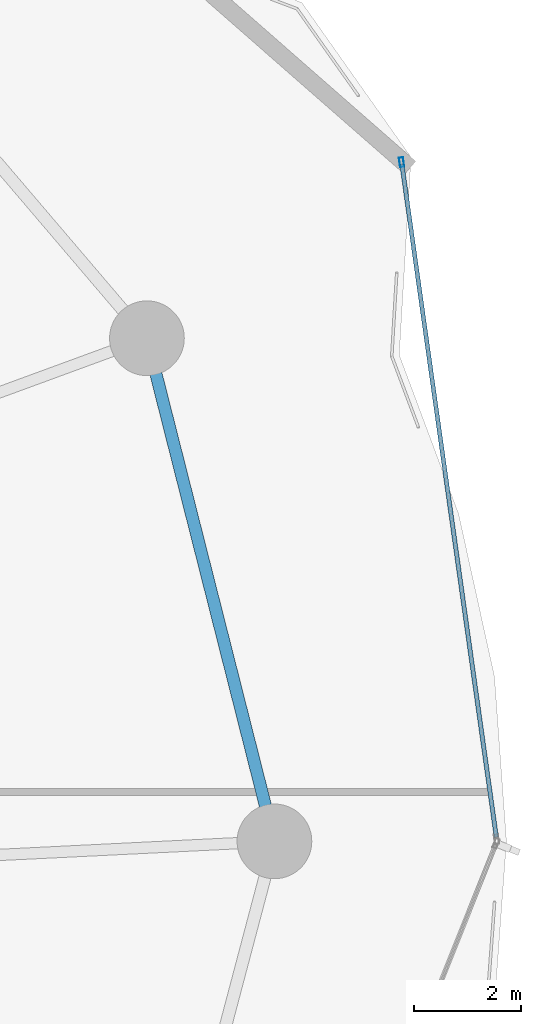
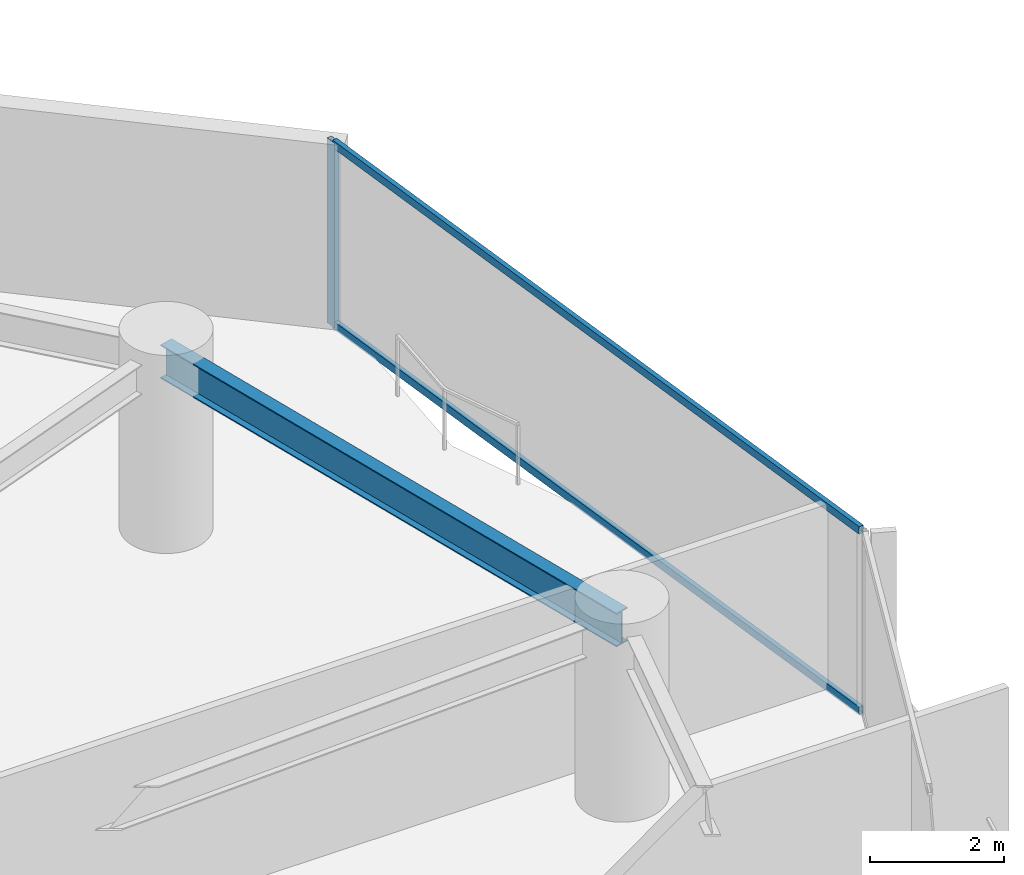
# One storey, part 23 of 31: 3 members, 1 beam, 1 element without a shape of its own.
"""IFC4 building model written with IfcOpenShell, lengths in metres."""

from ifc_helpers import new_model, si_unit, direction, frame, origin, origin_2d, place, context, subcontext, project, spatial, hollow_rectangle, i_section, extrude, material, layer, layer_set, material_profile, profile_set, type_object, element, aggregate, save


model = new_model("IFC4")

# Units and contexts
model_context = context("Model", 3, precision=1e-05, world=origin(), true_north=direction((0.0, 1.0)))
body_context = subcontext(model_context, "Body", "Model", "MODEL_VIEW")
ifc_project = project(units=[si_unit("LENGTHUNIT", "METRE"), si_unit("AREAUNIT", "SQUARE_METRE"), si_unit("VOLUMEUNIT", "CUBIC_METRE"), si_unit("PLANEANGLEUNIT", "RADIAN"), si_unit("MASSUNIT", "GRAM", prefix="KILO")], contexts=[model_context])

# Site, building, storey
site_placement = place(None, origin())
site = spatial("IfcSite", under=ifc_project, at=site_placement, CompositionType="ELEMENT")
building_placement = place(site_placement, origin())
building = spatial("IfcBuilding", under=site, at=building_placement, Name="Kazevale Care Tower and Concert Hall", CompositionType="ELEMENT")
storey_placement = place(building_placement, frame((0.0, 0.0, 56.39990234375)))
storey = spatial("IfcBuildingStorey", under=building, at=storey_placement, Name="L14", CompositionType="ELEMENT", Elevation=56.39990234375)

# Curtain wall, members
ifc_material_1 = material(Name="Aluminium 6063-T6 and Low-E Glass", Category="aluminium")
ifc_layer = layer(ifc_material_1, 0.179931640625)
ifc_layer_set = layer_set([ifc_layer], Name="Aluminium 6063-T6 and Low-E Glass")
curtain_wall_type = type_object("IfcCurtainWallType", Name="Waist & Upper Residential Curtain Wall CW-4", PredefinedType="NOTDEFINED", material=ifc_layer_set)
curtain_wall_placement = place(storey_placement, origin())
curtain_wall = element("IfcCurtainWall", 1, at=curtain_wall_placement, inside=storey, type_object=curtain_wall_type, Name="cw:L14:f18", PredefinedType="NOTDEFINED")
ifc_material_2 = material(Name="Aluminium 6063-T6", Category="aluminium")
ifc_material_profile_1 = material_profile(ifc_material_2, hollow_rectangle(XDim=0.080078125, YDim=0.179931640625, WallThickness=0.0048828125, at=origin_2d()), Name="ALU80x180x5")
ifc_profile_set_1 = profile_set([ifc_material_profile_1], Name="Aluminium 6063-T6")
member_type_1 = type_object("IfcMemberType", Name="CW-4 Mullion ALU80x180x5", PredefinedType="MULLION", material=ifc_profile_set_1)
member_1_placement = place(storey_placement, frame((78.83349609375, 50.7294921875, 0.0), z_axis=(0.0, 0.0, 1.0), x_axis=(0.990295475282, 0.138977953775, 0.0)))
member_1 = element("IfcMember", 2, at=member_1_placement, type_object=member_type_1, Name="CW-4 mullion 1", PredefinedType="MULLION", context=body_context, shape_type="SweptSolid", body=[
    extrude(hollow_rectangle(XDim=0.080078125, YDim=0.179931640625, WallThickness=0.0048828125, at=origin_2d()), origin(), (0.0, 0.0, 1.0), 3.360107421875),
])
ifc_material_profile_2 = material_profile(ifc_material_2, hollow_rectangle(XDim=0.080078125, YDim=0.139892578125, WallThickness=0.00390625, at=origin_2d()), Name="ALU80x140x4")
ifc_profile_set_2 = profile_set([ifc_material_profile_2], Name="Aluminium 6063-T6")
member_type_2 = type_object("IfcMemberType", Name="CW-4 Transom ALU80x140x4", PredefinedType="USERDEFINED", material=ifc_profile_set_2)
member_2_placement = place(storey_placement, frame((78.839111328125, 50.689697265625, 0.0400390625), z_axis=(0.138981041567, -0.990295041937, 0.0), x_axis=(0.990295041937, 0.138981041567, 0.0)))
member_2 = element("IfcMember", 3, at=member_2_placement, type_object=member_type_2, Name="CW-4 transom 1.1", ObjectType="TRANSOM", PredefinedType="USERDEFINED", context=body_context, shape_type="SweptSolid", body=[
    extrude(hollow_rectangle(XDim=0.080078125, YDim=0.139892578125, WallThickness=0.00390625, at=origin_2d()), origin(), (0.0, 0.0, 1.0), 12.73388671875),
])
member_3_placement = place(storey_placement, frame((78.839111328125, 50.689697265625, 3.320068359375), z_axis=(0.138981041567, -0.990295041937, 0.0), x_axis=(0.990295041937, 0.138981041567, 0.0)))
member_3 = element("IfcMember", 4, at=member_3_placement, type_object=member_type_2, Name="CW-4 transom 1.2", ObjectType="TRANSOM", PredefinedType="USERDEFINED", context=body_context, shape_type="SweptSolid", body=[
    extrude(hollow_rectangle(XDim=0.080078125, YDim=0.139892578125, WallThickness=0.00390625, at=origin_2d()), origin(), (0.0, 0.0, 1.0), 12.73388671875),
])
aggregate(curtain_wall, [member_1, member_2, member_3])

# Beam
ifc_material_3 = material(Name="Steel ASTM A572 Gr 50", Category="steel")
ifc_material_profile_3 = material_profile(ifc_material_3, i_section(OverallWidth=0.22900390625, OverallDepth=0.612060546875, WebThickness=0.011962890625, FlangeThickness=0.01953125, at=origin_2d()), Name="W610x125")
ifc_profile_set_3 = profile_set([ifc_material_profile_3], Name="Steel ASTM A572 Gr 50")
beam_type = type_object("IfcBeamType", Name="Ring Spandrel Beam W610x125", PredefinedType="SPANDREL", material=ifc_profile_set_3)
beam_placement = place(storey_placement, frame((76.449951171875, 38.0, 3.05419921875), z_axis=(-0.245669948409, 0.969353535326, 0.0), x_axis=(-0.969353535326, -0.245669948409, 0.0)))
element("IfcBeam", 5, at=beam_placement, inside=storey, type_object=beam_type, Name="beam:L14:ring:01", PredefinedType="SPANDREL", context=body_context, shape_type="SweptSolid", body=[
    extrude(i_section(OverallWidth=0.22900390625, OverallDepth=0.612060546875, WebThickness=0.011962890625, FlangeThickness=0.01953125, at=origin_2d()), origin(), (0.0, 0.0, 1.0), 9.72802734375),
])

save(model, "model.ifc")
